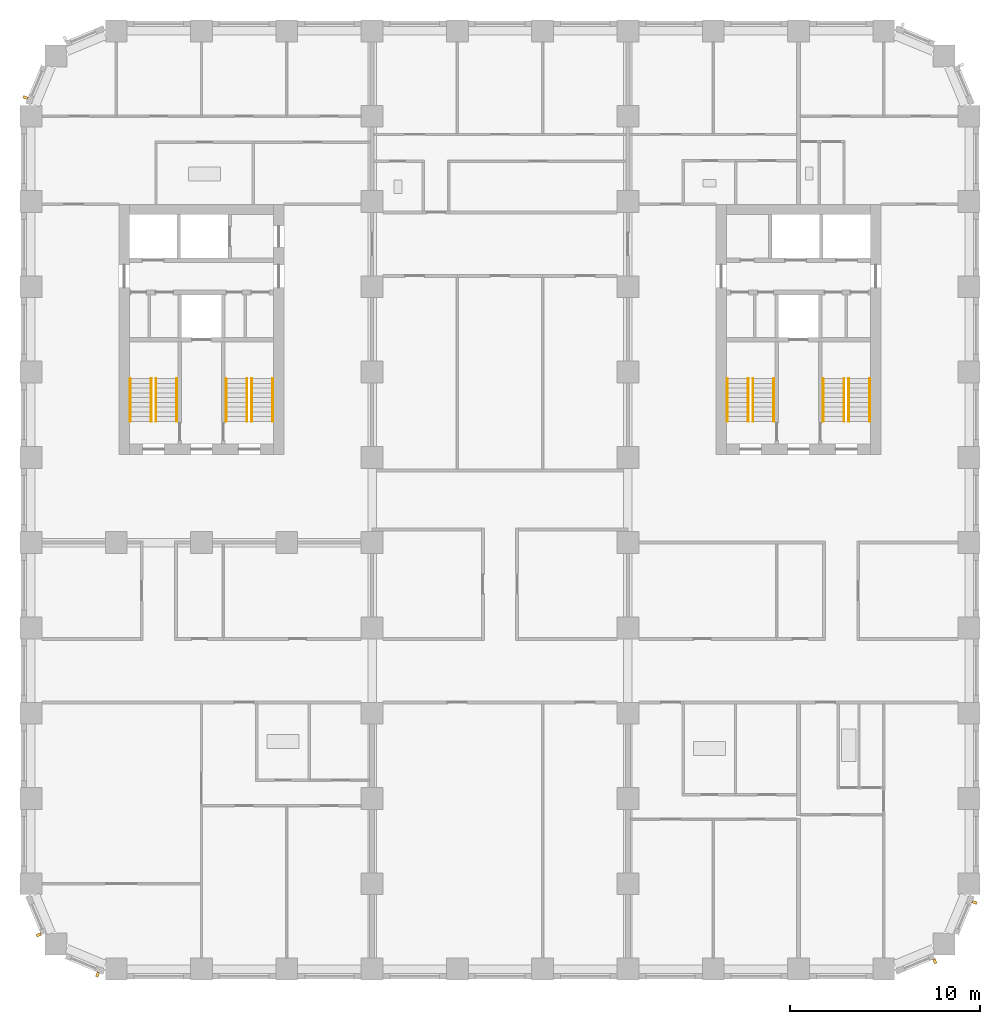
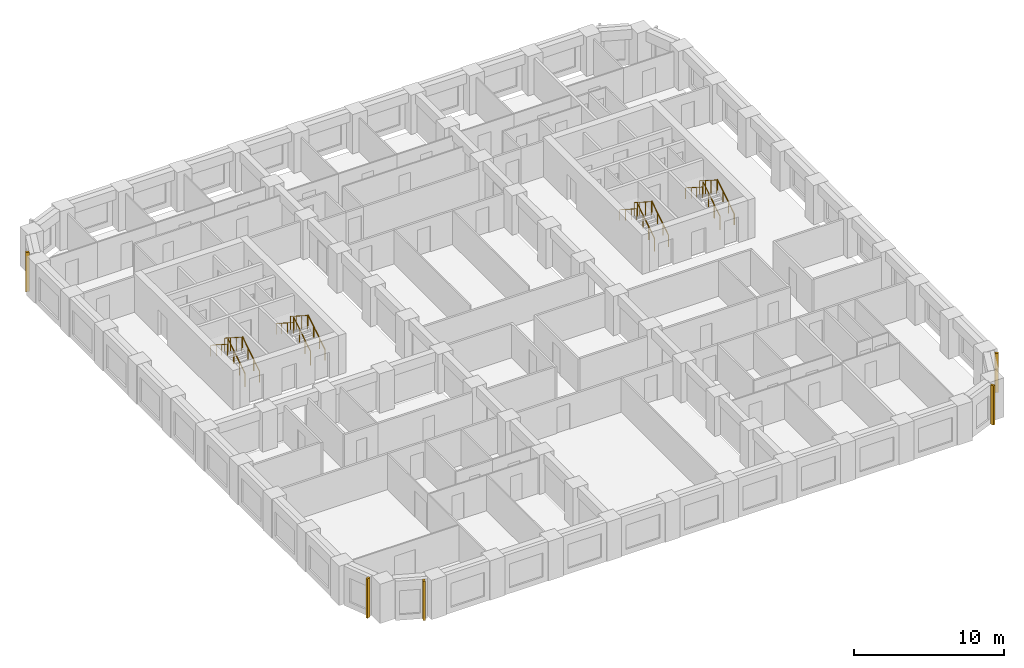
# One storey, part 11 of 13: 16 railings, 5 shading devices.
"""IFC4 building model written with IfcOpenShell, lengths in metres."""

from ifc_helpers import new_model, si_unit, direction, frame, origin, origin_2d, place, context, subcontext, project, spatial, rectangle, circle, extrude, material, type_object, element, save


model = new_model("IFC4")

# Units and contexts
model_context = context("Model", 3, precision=1e-05, world=origin(), true_north=direction((0.0, 1.0)))
body_context = subcontext(model_context, "Body", "Model", "MODEL_VIEW")
ifc_project = project(units=[si_unit("LENGTHUNIT", "METRE"), si_unit("AREAUNIT", "SQUARE_METRE"), si_unit("VOLUMEUNIT", "CUBIC_METRE"), si_unit("PLANEANGLEUNIT", "RADIAN"), si_unit("MASSUNIT", "GRAM", prefix="KILO")], contexts=[model_context])

# Site, building, storey
site_placement = place(None, origin())
site = spatial("IfcSite", under=ifc_project, at=site_placement, CompositionType="ELEMENT")
building_placement = place(site_placement, origin())
building = spatial("IfcBuilding", under=site, at=building_placement, Name="Girih Gate Residences", CompositionType="ELEMENT")
storey_placement = place(building_placement, frame((0.0, 0.0, 96.0)))
storey = spatial("IfcBuildingStorey", under=building, at=storey_placement, Name="L26", CompositionType="ELEMENT", Elevation=96.0)

# Shading devices
ifc_material_1 = material(Name="Precast concrete C50/60", Category="concrete")
shading_device_type = type_object("IfcShadingDeviceType", Name="Corner rib 150x250", PredefinedType="USERDEFINED", material=ifc_material_1)
for number, where, z_axis, x_axis, name in (
    (1, (0.412353515625, 1.8056640625, 0.0), (0.0, 0.0, 1.0), (0.382683432365, -0.923879532511, 0.0), "Corner rib SW0000_0045.0"),
    (2, (3.514892578125, -0.29541015625, 0.0), (0.0, 0.0, 1.0), (0.923879532511, -0.382683432365, 0.0), "Corner rib SW0013_0013.0"),
    (3, (47.6943359375, 0.412353515625, 0.0), (0.0, 0.0, 1.0), (0.923879532511, 0.382683432365, 0.0), "Corner rib SE0450_0000.0"),
    (4, (49.79541015625, 3.514892578125, 0.0), (0.0, 0.0, 1.0), (0.382683432365, 0.923879532511, 0.0), "Corner rib SE0482_0013.0"),
    (5, (-0.29541015625, 45.985107421875, 0.0), (0.0, 0.0, 1.0), (-0.382683432365, -0.923879532511, 0.0), "Corner rib NW0013_0482.0"),
):
    element("IfcShadingDevice", number, at=place(storey_placement, frame(where, z_axis=z_axis, x_axis=x_axis)), inside=storey, type_object=shading_device_type, Name=name, ObjectType="FIN", PredefinedType="USERDEFINED", context=body_context, shape_type="SweptSolid", body=[
        extrude(rectangle(XDim=0.14990234375, YDim=0.25, at=origin_2d()), origin(), (0.0, 0.0, 1.0), 3.199951171875),
    ])

# Railings
ifc_material_2 = material(Name="Stainless steel", Category="steel")
railing_type_1 = type_object("IfcRailingType", Name="Stair guard 1100", PredefinedType="GUARDRAIL", material=ifc_material_2)
railing_1_placement = place(storey_placement, frame((6.60009765625, 28.89990234375, 0.159912109375)))
element("IfcRailing", 6, at=railing_1_placement, inside=storey, type_object=railing_type_1, Name="L26 ST-W1 stair guard 1", PredefinedType="GUARDRAIL", context=body_context, shape_type="SweptSolid", body=[
    extrude(circle(Radius=0.02392578125, at=origin_2d()), frame((0.0, 0.0, 1.076171875), z_axis=(0.0, 0.842239864353, 0.539102968731), x_axis=(-1.0, 0.0, 0.0)), (0.0, 0.0, 1.0), 2.67138671875),
    extrude(circle(Radius=0.02099609375, at=origin_2d()), origin(), (0.0, 0.0, 1.0), 1.052001953125),
    extrude(circle(Radius=0.02099609375, at=origin_2d()), frame((0.0, 0.75, 0.47998046875)), (0.0, 0.0, 1.0), 1.052001953125),
    extrude(circle(Radius=0.02099609375, at=origin_2d()), frame((0.0, 1.5, 0.960205078125)), (0.0, 0.0, 1.0), 1.052001953125),
    extrude(circle(Radius=0.02099609375, at=origin_2d()), frame((0.0, 2.25, 1.440185546875)), (0.0, 0.0, 1.0), 1.052001953125),
])
railing_2_placement = place(storey_placement, frame((6.35009765625, 31.14990234375, 1.760009765625)))
element("IfcRailing", 7, at=railing_2_placement, inside=storey, type_object=railing_type_1, Name="L26 ST-W1 stair guard 2", PredefinedType="GUARDRAIL", context=body_context, shape_type="SweptSolid", body=[
    extrude(circle(Radius=0.02392578125, at=origin_2d()), frame((0.0, 0.0, 1.076171875), z_axis=(0.0, -0.842281359387, 0.539038135598), x_axis=(1.0, 0.0, 0.0)), (0.0, 0.0, 1.0), 2.67138671875),
    extrude(circle(Radius=0.02099609375, at=origin_2d()), origin(), (0.0, 0.0, 1.0), 1.052001953125),
    extrude(circle(Radius=0.02099609375, at=origin_2d()), frame((0.0, -0.75, 0.47998046875)), (0.0, 0.0, 1.0), 1.052001953125),
    extrude(circle(Radius=0.02099609375, at=origin_2d()), frame((0.0, -1.5, 0.9599609375)), (0.0, 0.0, 1.0), 1.052001953125),
    extrude(circle(Radius=0.02099609375, at=origin_2d()), frame((0.0, -2.25, 1.43994140625)), (0.0, 0.0, 1.0), 1.052001953125),
])
railing_3_placement = place(storey_placement, frame((11.64990234375, 28.89990234375, 0.159912109375)))
element("IfcRailing", 8, at=railing_3_placement, inside=storey, type_object=railing_type_1, Name="L26 ST-W2 stair guard 1", PredefinedType="GUARDRAIL", context=body_context, shape_type="SweptSolid", body=[
    extrude(circle(Radius=0.02392578125, at=origin_2d()), frame((0.0, 0.0, 1.076171875), z_axis=(0.0, 0.842239864353, 0.539102968731), x_axis=(-1.0, 0.0, 0.0)), (0.0, 0.0, 1.0), 2.67138671875),
    extrude(circle(Radius=0.02099609375, at=origin_2d()), origin(), (0.0, 0.0, 1.0), 1.052001953125),
    extrude(circle(Radius=0.02099609375, at=origin_2d()), frame((0.0, 0.75, 0.47998046875)), (0.0, 0.0, 1.0), 1.052001953125),
    extrude(circle(Radius=0.02099609375, at=origin_2d()), frame((0.0, 1.5, 0.960205078125)), (0.0, 0.0, 1.0), 1.052001953125),
    extrude(circle(Radius=0.02099609375, at=origin_2d()), frame((0.0, 2.25, 1.440185546875)), (0.0, 0.0, 1.0), 1.052001953125),
])
railing_4_placement = place(storey_placement, frame((11.39990234375, 31.14990234375, 1.760009765625)))
element("IfcRailing", 9, at=railing_4_placement, inside=storey, type_object=railing_type_1, Name="L26 ST-W2 stair guard 2", PredefinedType="GUARDRAIL", context=body_context, shape_type="SweptSolid", body=[
    extrude(circle(Radius=0.02392578125, at=origin_2d()), frame((0.0, 0.0, 1.076171875), z_axis=(0.0, -0.842281359387, 0.539038135598), x_axis=(1.0, 0.0, 0.0)), (0.0, 0.0, 1.0), 2.67138671875),
    extrude(circle(Radius=0.02099609375, at=origin_2d()), origin(), (0.0, 0.0, 1.0), 1.052001953125),
    extrude(circle(Radius=0.02099609375, at=origin_2d()), frame((0.0, -0.75, 0.47998046875)), (0.0, 0.0, 1.0), 1.052001953125),
    extrude(circle(Radius=0.02099609375, at=origin_2d()), frame((0.0, -1.5, 0.9599609375)), (0.0, 0.0, 1.0), 1.052001953125),
    extrude(circle(Radius=0.02099609375, at=origin_2d()), frame((0.0, -2.25, 1.43994140625)), (0.0, 0.0, 1.0), 1.052001953125),
])
railing_5_placement = place(storey_placement, frame((43.14990234375, 28.89990234375, 0.159912109375)))
element("IfcRailing", 10, at=railing_5_placement, inside=storey, type_object=railing_type_1, Name="L26 ST-E1 stair guard 1", PredefinedType="GUARDRAIL", context=body_context, shape_type="SweptSolid", body=[
    extrude(circle(Radius=0.02392578125, at=origin_2d()), frame((0.0, 0.0, 1.076171875), z_axis=(0.0, 0.842239864353, 0.539102968731), x_axis=(-1.0, 0.0, 0.0)), (0.0, 0.0, 1.0), 2.67138671875),
    extrude(circle(Radius=0.02099609375, at=origin_2d()), origin(), (0.0, 0.0, 1.0), 1.052001953125),
    extrude(circle(Radius=0.02099609375, at=origin_2d()), frame((0.0, 0.75, 0.47998046875)), (0.0, 0.0, 1.0), 1.052001953125),
    extrude(circle(Radius=0.02099609375, at=origin_2d()), frame((0.0, 1.5, 0.960205078125)), (0.0, 0.0, 1.0), 1.052001953125),
    extrude(circle(Radius=0.02099609375, at=origin_2d()), frame((0.0, 2.25, 1.440185546875)), (0.0, 0.0, 1.0), 1.052001953125),
])
railing_6_placement = place(storey_placement, frame((42.89990234375, 31.14990234375, 1.760009765625)))
element("IfcRailing", 11, at=railing_6_placement, inside=storey, type_object=railing_type_1, Name="L26 ST-E1 stair guard 2", PredefinedType="GUARDRAIL", context=body_context, shape_type="SweptSolid", body=[
    extrude(circle(Radius=0.02392578125, at=origin_2d()), frame((0.0, 0.0, 1.076171875), z_axis=(0.0, -0.842281359387, 0.539038135598), x_axis=(1.0, 0.0, 0.0)), (0.0, 0.0, 1.0), 2.67138671875),
    extrude(circle(Radius=0.02099609375, at=origin_2d()), origin(), (0.0, 0.0, 1.0), 1.052001953125),
    extrude(circle(Radius=0.02099609375, at=origin_2d()), frame((0.0, -0.75, 0.47998046875)), (0.0, 0.0, 1.0), 1.052001953125),
    extrude(circle(Radius=0.02099609375, at=origin_2d()), frame((0.0, -1.5, 0.9599609375)), (0.0, 0.0, 1.0), 1.052001953125),
    extrude(circle(Radius=0.02099609375, at=origin_2d()), frame((0.0, -2.25, 1.43994140625)), (0.0, 0.0, 1.0), 1.052001953125),
])
railing_7_placement = place(storey_placement, frame((38.10009765625, 28.89990234375, 0.159912109375)))
element("IfcRailing", 12, at=railing_7_placement, inside=storey, type_object=railing_type_1, Name="L26 ST-E2 stair guard 1", PredefinedType="GUARDRAIL", context=body_context, shape_type="SweptSolid", body=[
    extrude(circle(Radius=0.02392578125, at=origin_2d()), frame((0.0, 0.0, 1.076171875), z_axis=(0.0, 0.842239864353, 0.539102968731), x_axis=(-1.0, 0.0, 0.0)), (0.0, 0.0, 1.0), 2.67138671875),
    extrude(circle(Radius=0.02099609375, at=origin_2d()), origin(), (0.0, 0.0, 1.0), 1.052001953125),
    extrude(circle(Radius=0.02099609375, at=origin_2d()), frame((0.0, 0.75, 0.47998046875)), (0.0, 0.0, 1.0), 1.052001953125),
    extrude(circle(Radius=0.02099609375, at=origin_2d()), frame((0.0, 1.5, 0.960205078125)), (0.0, 0.0, 1.0), 1.052001953125),
    extrude(circle(Radius=0.02099609375, at=origin_2d()), frame((0.0, 2.25, 1.440185546875)), (0.0, 0.0, 1.0), 1.052001953125),
])
railing_8_placement = place(storey_placement, frame((37.85009765625, 31.14990234375, 1.760009765625)))
element("IfcRailing", 13, at=railing_8_placement, inside=storey, type_object=railing_type_1, Name="L26 ST-E2 stair guard 2", PredefinedType="GUARDRAIL", context=body_context, shape_type="SweptSolid", body=[
    extrude(circle(Radius=0.02392578125, at=origin_2d()), frame((0.0, 0.0, 1.076171875), z_axis=(0.0, -0.842281359387, 0.539038135598), x_axis=(1.0, 0.0, 0.0)), (0.0, 0.0, 1.0), 2.67138671875),
    extrude(circle(Radius=0.02099609375, at=origin_2d()), origin(), (0.0, 0.0, 1.0), 1.052001953125),
    extrude(circle(Radius=0.02099609375, at=origin_2d()), frame((0.0, -0.75, 0.47998046875)), (0.0, 0.0, 1.0), 1.052001953125),
    extrude(circle(Radius=0.02099609375, at=origin_2d()), frame((0.0, -1.5, 0.9599609375)), (0.0, 0.0, 1.0), 1.052001953125),
    extrude(circle(Radius=0.02099609375, at=origin_2d()), frame((0.0, -2.25, 1.43994140625)), (0.0, 0.0, 1.0), 1.052001953125),
])
railing_type_2 = type_object("IfcRailingType", Name="Stair handrail 900", PredefinedType="HANDRAIL", material=ifc_material_2)
railing_9_placement = place(storey_placement, frame((7.699951171875, 28.89990234375, 0.159912109375)))
element("IfcRailing", 14, at=railing_9_placement, inside=storey, type_object=railing_type_2, Name="L26 ST-W1 stair handrail 1", PredefinedType="HANDRAIL", context=body_context, shape_type="SweptSolid", body=[
    extrude(circle(Radius=0.02392578125, at=origin_2d()), frame((0.0, 0.0, 0.8857421875), z_axis=(0.0, 0.842239864353, 0.539102968731), x_axis=(-1.0, 0.0, 0.0)), (0.0, 0.0, 1.0), 2.67138671875),
    extrude(circle(Radius=0.02099609375, at=origin_2d()), origin(), (0.0, 0.0, 1.0), 0.86181640625),
    extrude(circle(Radius=0.02099609375, at=origin_2d()), frame((0.0, 0.75, 0.47998046875)), (0.0, 0.0, 1.0), 0.86181640625),
    extrude(circle(Radius=0.02099609375, at=origin_2d()), frame((0.0, 1.5, 0.960205078125)), (0.0, 0.0, 1.0), 0.86181640625),
    extrude(circle(Radius=0.02099609375, at=origin_2d()), frame((0.0, 2.25, 1.440185546875)), (0.0, 0.0, 1.0), 0.86181640625),
])
railing_10_placement = place(storey_placement, frame((5.25, 31.14990234375, 1.760009765625)))
element("IfcRailing", 15, at=railing_10_placement, inside=storey, type_object=railing_type_2, Name="L26 ST-W1 stair handrail 2", PredefinedType="HANDRAIL", context=body_context, shape_type="SweptSolid", body=[
    extrude(circle(Radius=0.02392578125, at=origin_2d()), frame((0.0, 0.0, 0.8857421875), z_axis=(0.0, -0.842281359387, 0.539038135598), x_axis=(1.0, 0.0, 0.0)), (0.0, 0.0, 1.0), 2.67138671875),
    extrude(circle(Radius=0.02099609375, at=origin_2d()), origin(), (0.0, 0.0, 1.0), 0.86181640625),
    extrude(circle(Radius=0.02099609375, at=origin_2d()), frame((0.0, -0.75, 0.47998046875)), (0.0, 0.0, 1.0), 0.86181640625),
    extrude(circle(Radius=0.02099609375, at=origin_2d()), frame((0.0, -1.5, 0.9599609375)), (0.0, 0.0, 1.0), 0.86181640625),
    extrude(circle(Radius=0.02099609375, at=origin_2d()), frame((0.0, -2.25, 1.43994140625)), (0.0, 0.0, 1.0), 0.86181640625),
])
railing_11_placement = place(storey_placement, frame((12.75, 28.89990234375, 0.159912109375)))
element("IfcRailing", 16, at=railing_11_placement, inside=storey, type_object=railing_type_2, Name="L26 ST-W2 stair handrail 1", PredefinedType="HANDRAIL", context=body_context, shape_type="SweptSolid", body=[
    extrude(circle(Radius=0.02392578125, at=origin_2d()), frame((0.0, 0.0, 0.8857421875), z_axis=(0.0, 0.842239864353, 0.539102968731), x_axis=(-1.0, 0.0, 0.0)), (0.0, 0.0, 1.0), 2.67138671875),
    extrude(circle(Radius=0.02099609375, at=origin_2d()), origin(), (0.0, 0.0, 1.0), 0.86181640625),
    extrude(circle(Radius=0.02099609375, at=origin_2d()), frame((0.0, 0.75, 0.47998046875)), (0.0, 0.0, 1.0), 0.86181640625),
    extrude(circle(Radius=0.02099609375, at=origin_2d()), frame((0.0, 1.5, 0.960205078125)), (0.0, 0.0, 1.0), 0.86181640625),
    extrude(circle(Radius=0.02099609375, at=origin_2d()), frame((0.0, 2.25, 1.440185546875)), (0.0, 0.0, 1.0), 0.86181640625),
])
railing_12_placement = place(storey_placement, frame((10.300048828125, 31.14990234375, 1.760009765625)))
element("IfcRailing", 17, at=railing_12_placement, inside=storey, type_object=railing_type_2, Name="L26 ST-W2 stair handrail 2", PredefinedType="HANDRAIL", context=body_context, shape_type="SweptSolid", body=[
    extrude(circle(Radius=0.02392578125, at=origin_2d()), frame((0.0, 0.0, 0.8857421875), z_axis=(0.0, -0.842281359387, 0.539038135598), x_axis=(1.0, 0.0, 0.0)), (0.0, 0.0, 1.0), 2.67138671875),
    extrude(circle(Radius=0.02099609375, at=origin_2d()), origin(), (0.0, 0.0, 1.0), 0.86181640625),
    extrude(circle(Radius=0.02099609375, at=origin_2d()), frame((0.0, -0.75, 0.47998046875)), (0.0, 0.0, 1.0), 0.86181640625),
    extrude(circle(Radius=0.02099609375, at=origin_2d()), frame((0.0, -1.5, 0.9599609375)), (0.0, 0.0, 1.0), 0.86181640625),
    extrude(circle(Radius=0.02099609375, at=origin_2d()), frame((0.0, -2.25, 1.43994140625)), (0.0, 0.0, 1.0), 0.86181640625),
])
railing_13_placement = place(storey_placement, frame((44.25, 28.89990234375, 0.159912109375)))
element("IfcRailing", 18, at=railing_13_placement, inside=storey, type_object=railing_type_2, Name="L26 ST-E1 stair handrail 1", PredefinedType="HANDRAIL", context=body_context, shape_type="SweptSolid", body=[
    extrude(circle(Radius=0.02392578125, at=origin_2d()), frame((0.0, 0.0, 0.8857421875), z_axis=(0.0, 0.842239864353, 0.539102968731), x_axis=(-1.0, 0.0, 0.0)), (0.0, 0.0, 1.0), 2.67138671875),
    extrude(circle(Radius=0.02099609375, at=origin_2d()), origin(), (0.0, 0.0, 1.0), 0.86181640625),
    extrude(circle(Radius=0.02099609375, at=origin_2d()), frame((0.0, 0.75, 0.47998046875)), (0.0, 0.0, 1.0), 0.86181640625),
    extrude(circle(Radius=0.02099609375, at=origin_2d()), frame((0.0, 1.5, 0.960205078125)), (0.0, 0.0, 1.0), 0.86181640625),
    extrude(circle(Radius=0.02099609375, at=origin_2d()), frame((0.0, 2.25, 1.440185546875)), (0.0, 0.0, 1.0), 0.86181640625),
])
railing_14_placement = place(storey_placement, frame((41.800048828125, 31.14990234375, 1.760009765625)))
element("IfcRailing", 19, at=railing_14_placement, inside=storey, type_object=railing_type_2, Name="L26 ST-E1 stair handrail 2", PredefinedType="HANDRAIL", context=body_context, shape_type="SweptSolid", body=[
    extrude(circle(Radius=0.02392578125, at=origin_2d()), frame((0.0, 0.0, 0.8857421875), z_axis=(0.0, -0.842281359387, 0.539038135598), x_axis=(1.0, 0.0, 0.0)), (0.0, 0.0, 1.0), 2.67138671875),
    extrude(circle(Radius=0.02099609375, at=origin_2d()), origin(), (0.0, 0.0, 1.0), 0.86181640625),
    extrude(circle(Radius=0.02099609375, at=origin_2d()), frame((0.0, -0.75, 0.47998046875)), (0.0, 0.0, 1.0), 0.86181640625),
    extrude(circle(Radius=0.02099609375, at=origin_2d()), frame((0.0, -1.5, 0.9599609375)), (0.0, 0.0, 1.0), 0.86181640625),
    extrude(circle(Radius=0.02099609375, at=origin_2d()), frame((0.0, -2.25, 1.43994140625)), (0.0, 0.0, 1.0), 0.86181640625),
])
railing_15_placement = place(storey_placement, frame((39.199951171875, 28.89990234375, 0.159912109375)))
element("IfcRailing", 20, at=railing_15_placement, inside=storey, type_object=railing_type_2, Name="L26 ST-E2 stair handrail 1", PredefinedType="HANDRAIL", context=body_context, shape_type="SweptSolid", body=[
    extrude(circle(Radius=0.02392578125, at=origin_2d()), frame((0.0, 0.0, 0.8857421875), z_axis=(0.0, 0.842239864353, 0.539102968731), x_axis=(-1.0, 0.0, 0.0)), (0.0, 0.0, 1.0), 2.67138671875),
    extrude(circle(Radius=0.02099609375, at=origin_2d()), origin(), (0.0, 0.0, 1.0), 0.86181640625),
    extrude(circle(Radius=0.02099609375, at=origin_2d()), frame((0.0, 0.75, 0.47998046875)), (0.0, 0.0, 1.0), 0.86181640625),
    extrude(circle(Radius=0.02099609375, at=origin_2d()), frame((0.0, 1.5, 0.960205078125)), (0.0, 0.0, 1.0), 0.86181640625),
    extrude(circle(Radius=0.02099609375, at=origin_2d()), frame((0.0, 2.25, 1.440185546875)), (0.0, 0.0, 1.0), 0.86181640625),
])
railing_16_placement = place(storey_placement, frame((36.75, 31.14990234375, 1.760009765625)))
element("IfcRailing", 21, at=railing_16_placement, inside=storey, type_object=railing_type_2, Name="L26 ST-E2 stair handrail 2", PredefinedType="HANDRAIL", context=body_context, shape_type="SweptSolid", body=[
    extrude(circle(Radius=0.02392578125, at=origin_2d()), frame((0.0, 0.0, 0.8857421875), z_axis=(0.0, -0.842281359387, 0.539038135598), x_axis=(1.0, 0.0, 0.0)), (0.0, 0.0, 1.0), 2.67138671875),
    extrude(circle(Radius=0.02099609375, at=origin_2d()), origin(), (0.0, 0.0, 1.0), 0.86181640625),
    extrude(circle(Radius=0.02099609375, at=origin_2d()), frame((0.0, -0.75, 0.47998046875)), (0.0, 0.0, 1.0), 0.86181640625),
    extrude(circle(Radius=0.02099609375, at=origin_2d()), frame((0.0, -1.5, 0.9599609375)), (0.0, 0.0, 1.0), 0.86181640625),
    extrude(circle(Radius=0.02099609375, at=origin_2d()), frame((0.0, -2.25, 1.43994140625)), (0.0, 0.0, 1.0), 0.86181640625),
])

save(model, "model.ifc")
